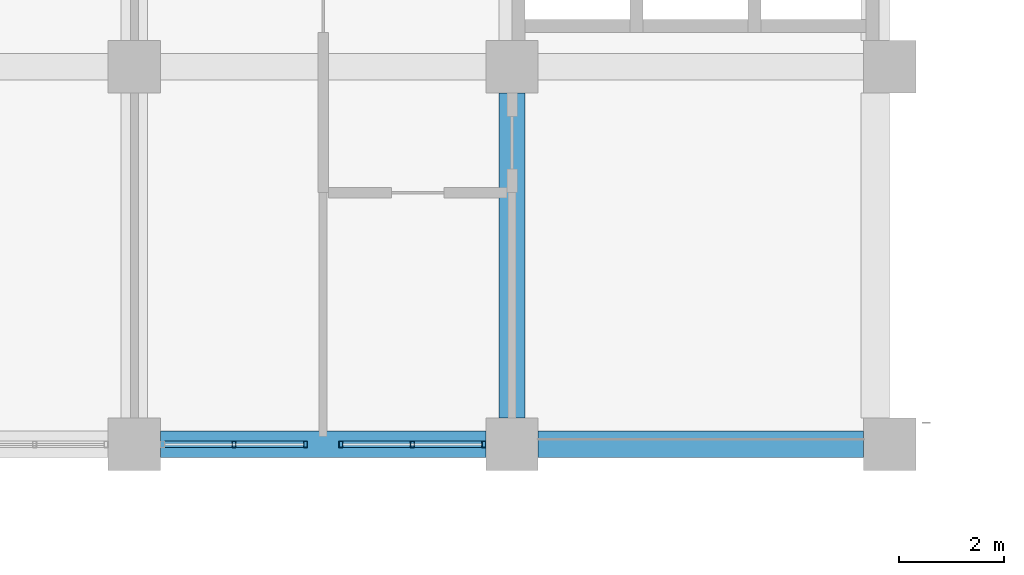
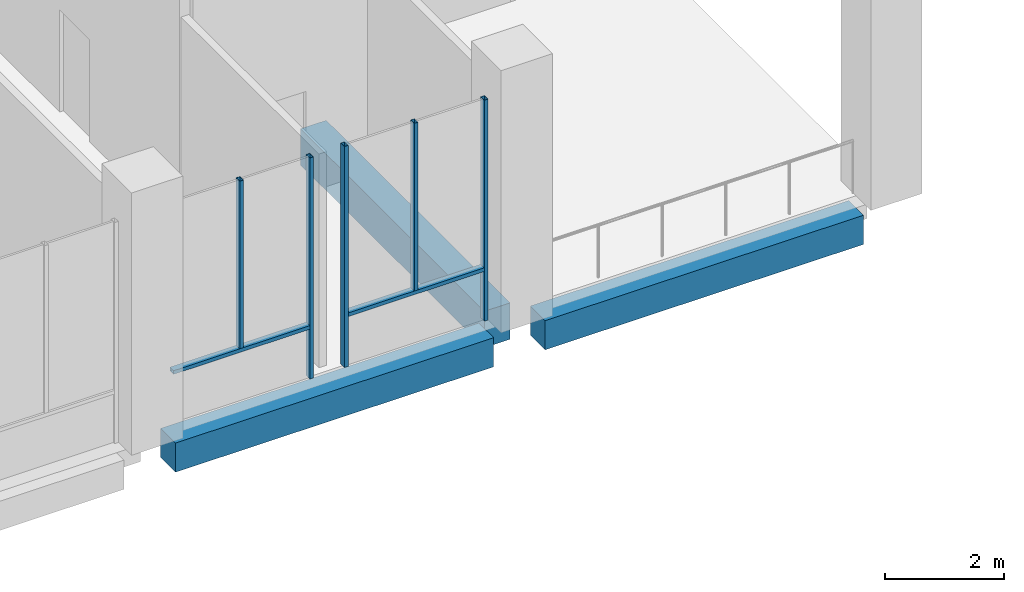
# One storey, part 10 of 48: 7 members, 3 beams, 2 elements without a shape of their own.
"""IFC4 building model written with IfcOpenShell, lengths in metres."""

from ifc_helpers import new_model, si_unit, direction, frame, origin, origin_2d, place, context, subcontext, project, spatial, rectangle, hollow_rectangle, extrude, material, material_profile, profile_set, type_object, element, aggregate, save


model = new_model("IFC4")

# Units and contexts
model_context = context("Model", 3, precision=1e-05, world=origin(), true_north=direction((0.0, 1.0)))
body_context = subcontext(model_context, "Body", "Model", "MODEL_VIEW")
ifc_project = project(units=[si_unit("LENGTHUNIT", "METRE"), si_unit("AREAUNIT", "SQUARE_METRE"), si_unit("VOLUMEUNIT", "CUBIC_METRE"), si_unit("PLANEANGLEUNIT", "RADIAN"), si_unit("MASSUNIT", "GRAM", prefix="KILO")], contexts=[model_context])

# Site, building, storey
site_placement = place(None, origin())
site = spatial("IfcSite", under=ifc_project, at=site_placement, CompositionType="ELEMENT")
building_placement = place(site_placement, origin())
building = spatial("IfcBuilding", under=site, at=building_placement, Name="Silangan Lancet Faculty of Sciences", CompositionType="ELEMENT")
storey_placement = place(building_placement, frame((0.0, 0.0, 6.0)))
storey = spatial("IfcBuildingStorey", under=building, at=storey_placement, Name="L01", CompositionType="ELEMENT", Elevation=6.0)

# Beams
ifc_material_1 = material(Name="Concrete C40/50", Category="concrete")
ifc_material_profile_1 = material_profile(ifc_material_1, rectangle(XDim=0.5, YDim=0.60009765625, at=origin_2d()), Name="RC 500x600")
ifc_profile_set_1 = profile_set([ifc_material_profile_1], Name="Concrete C40/50")
beam_type_1 = type_object("IfcBeamType", Name="BEAM RC 500x600", PredefinedType="BEAM", material=ifc_profile_set_1)
beam_1_placement = place(storey_placement, frame((14.89990234375, 36.0, -0.550048828125), z_axis=(1.0, 0.0, 0.0), x_axis=(0.0, 1.0, 0.0)))
element("IfcBeam", 1, at=beam_1_placement, inside=storey, type_object=beam_type_1, Name="BM-L01-3F-4F", PredefinedType="BEAM", context=body_context, shape_type="SweptSolid", body=[
    extrude(rectangle(XDim=0.5, YDim=0.60009765625, at=origin_2d()), origin(), (0.0, 0.0, 1.0), 6.2001953125),
])
beam_2_placement = place(storey_placement, frame((22.10009765625, 36.0, -0.550048828125), z_axis=(1.0, 0.0, 0.0), x_axis=(0.0, 1.0, 0.0)))
element("IfcBeam", 2, at=beam_2_placement, inside=storey, type_object=beam_type_1, Name="BM-L01-4F-5F", PredefinedType="BEAM", context=body_context, shape_type="SweptSolid", body=[
    extrude(rectangle(XDim=0.5, YDim=0.60009765625, at=origin_2d()), origin(), (0.0, 0.0, 1.0), 6.199951171875),
])
ifc_material_2 = material(Name="Concrete C40/50", Category="concrete")
ifc_material_profile_2 = material_profile(ifc_material_2, rectangle(XDim=0.5, YDim=0.75, at=origin_2d()), Name="RC 500x750")
ifc_profile_set_2 = profile_set([ifc_material_profile_2], Name="Concrete C40/50")
beam_type_2 = type_object("IfcBeamType", Name="BEAM RC 500x750", PredefinedType="BEAM", material=ifc_profile_set_2)
beam_3_placement = place(storey_placement, frame((21.60009765625, 36.5, -0.625), z_axis=(0.0, 1.0, 0.0), x_axis=(-1.0, 0.0, 0.0)))
element("IfcBeam", 3, at=beam_3_placement, inside=storey, type_object=beam_type_2, Name="BM-L01-4F-4G", PredefinedType="BEAM", context=body_context, shape_type="SweptSolid", body=[
    extrude(rectangle(XDim=0.5, YDim=0.75, at=origin_2d()), origin(), (0.0, 0.0, 1.0), 6.199951171875),
])

# Curtain wall, members
ifc_material_3 = material(Name="Aluminium framed curtain wall with insulated glass", Category="aluminium")
curtain_wall_type = type_object("IfcCurtainWallType", Name="CW2 Atrium fire-resisting screen", PredefinedType="NOTDEFINED", material=ifc_material_3)
curtain_wall_1_placement = place(storey_placement, origin())
curtain_wall_1 = element("IfcCurtainWall", 4, at=curtain_wall_1_placement, inside=storey, type_object=curtain_wall_type, Name="CW2 Atrium north L01 bay 5", PredefinedType="NOTDEFINED")
ifc_material_4 = material(Name="Steel S355J2H", Category="steel")
ifc_material_profile_3 = material_profile(ifc_material_4, hollow_rectangle(XDim=0.074951171875, YDim=0.125, WallThickness=0.0048828125, at=origin_2d()), Name="ST BOX 75x125x5")
ifc_profile_set_3 = profile_set([ifc_material_profile_3], Name="Steel S355J2H")
member_type_1 = type_object("IfcMemberType", Name="CM2 Mullion 75x125", PredefinedType="MULLION", material=ifc_profile_set_3)
member_1_placement = place(storey_placement, frame((17.66259765625, 36.0, 0.0), z_axis=(0.0, 0.0, 1.0), x_axis=(1.0, 0.0, 0.0)))
member_1 = element("IfcMember", 5, at=member_1_placement, type_object=member_type_1, Name="CW2 Atrium north L01 bay 5 mullion 2", PredefinedType="MULLION", context=body_context, shape_type="SweptSolid", body=[
    extrude(hollow_rectangle(XDim=0.074951171875, YDim=0.125, WallThickness=0.0048828125, at=origin_2d()), origin(), (0.0, 0.0, 1.0), 4.550048828125),
])
member_2_placement = place(storey_placement, frame((16.300048828125, 36.0, 1.10009765625), z_axis=(0.0, 0.0, 1.0), x_axis=(1.0, 0.0, 0.0)))
member_2 = element("IfcMember", 6, at=member_2_placement, type_object=member_type_1, Name="CW2 Atrium north L01 bay 5 mullion 3", PredefinedType="MULLION", context=body_context, shape_type="SweptSolid", body=[
    extrude(hollow_rectangle(XDim=0.074951171875, YDim=0.125, WallThickness=0.0048828125, at=origin_2d()), origin(), (0.0, 0.0, 1.0), 3.449951171875),
])

curtain_wall_2_placement = place(storey_placement, origin())
curtain_wall_2 = element("IfcCurtainWall", 7, at=curtain_wall_2_placement, inside=storey, type_object=curtain_wall_type, Name="CW2 Atrium north L01 bay 6", PredefinedType="NOTDEFINED")
member_3_placement = place(storey_placement, frame((18.33740234375, 36.0, 0.0), z_axis=(0.0, 0.0, 1.0), x_axis=(1.0, 0.0, 0.0)))
member_3 = element("IfcMember", 8, at=member_3_placement, type_object=member_type_1, Name="CW2 Atrium north L01 bay 6 mullion 1", PredefinedType="MULLION", context=body_context, shape_type="SweptSolid", body=[
    extrude(hollow_rectangle(XDim=0.074951171875, YDim=0.125, WallThickness=0.0048828125, at=origin_2d()), origin(), (0.0, 0.0, 1.0), 4.550048828125),
])
member_4_placement = place(storey_placement, frame((21.0625, 36.0, 0.0), z_axis=(0.0, 0.0, 1.0), x_axis=(1.0, 0.0, 0.0)))
member_4 = element("IfcMember", 9, at=member_4_placement, type_object=member_type_1, Name="CW2 Atrium north L01 bay 6 mullion 2", PredefinedType="MULLION", context=body_context, shape_type="SweptSolid", body=[
    extrude(hollow_rectangle(XDim=0.074951171875, YDim=0.125, WallThickness=0.0048828125, at=origin_2d()), origin(), (0.0, 0.0, 1.0), 4.550048828125),
])
member_5_placement = place(storey_placement, frame((19.699951171875, 36.0, 1.10009765625), z_axis=(0.0, 0.0, 1.0), x_axis=(1.0, 0.0, 0.0)))
member_5 = element("IfcMember", 10, at=member_5_placement, type_object=member_type_1, Name="CW2 Atrium north L01 bay 6 mullion 3", PredefinedType="MULLION", context=body_context, shape_type="SweptSolid", body=[
    extrude(hollow_rectangle(XDim=0.074951171875, YDim=0.125, WallThickness=0.0048828125, at=origin_2d()), origin(), (0.0, 0.0, 1.0), 3.449951171875),
])

# Member
ifc_material_5 = material(Name="Steel S355J2H", Category="steel")
ifc_material_profile_4 = material_profile(ifc_material_5, hollow_rectangle(XDim=0.125, YDim=0.074951171875, WallThickness=0.0048828125, at=origin_2d()), Name="ST BOX 125x75x5")
ifc_profile_set_4 = profile_set([ifc_material_profile_4], Name="Steel S355J2H")
member_type_2 = type_object("IfcMemberType", Name="CT2 Transom 125x75", PredefinedType="USERDEFINED", material=ifc_profile_set_4)
member_6_placement = place(storey_placement, frame((14.97509765625, 36.0, 1.0625), z_axis=(1.0, 0.0, 0.0), x_axis=(0.0, 1.0, 0.0)))
member_6 = element("IfcMember", 11, at=member_6_placement, type_object=member_type_2, Name="CW2 Atrium north L01 bay 5 transom 1", ObjectType="TRANSOM", PredefinedType="USERDEFINED", context=body_context, shape_type="SweptSolid", body=[
    extrude(hollow_rectangle(XDim=0.125, YDim=0.074951171875, WallThickness=0.0048828125, at=origin_2d()), origin(), (0.0, 0.0, 1.0), 2.64990234375),
])

aggregate(curtain_wall_1, [member_1, member_2, member_6])

member_7_placement = place(storey_placement, frame((18.375, 36.0, 1.0625), z_axis=(1.0, 0.0, 0.0), x_axis=(0.0, 1.0, 0.0)))
member_7 = element("IfcMember", 12, at=member_7_placement, type_object=member_type_2, Name="CW2 Atrium north L01 bay 6 transom 1", ObjectType="TRANSOM", PredefinedType="USERDEFINED", context=body_context, shape_type="SweptSolid", body=[
    extrude(hollow_rectangle(XDim=0.125, YDim=0.074951171875, WallThickness=0.0048828125, at=origin_2d()), origin(), (0.0, 0.0, 1.0), 2.64990234375),
])

aggregate(curtain_wall_2, [member_3, member_4, member_5, member_7])

save(model, "model.ifc")
